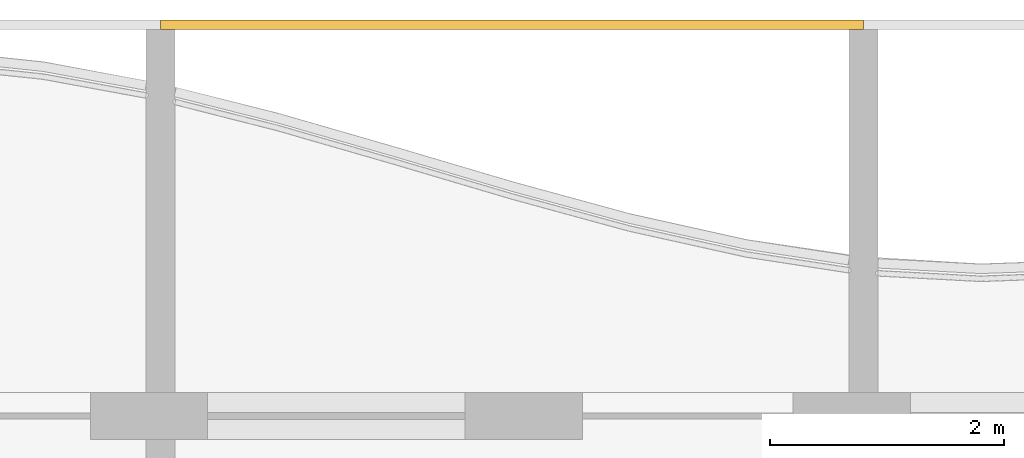
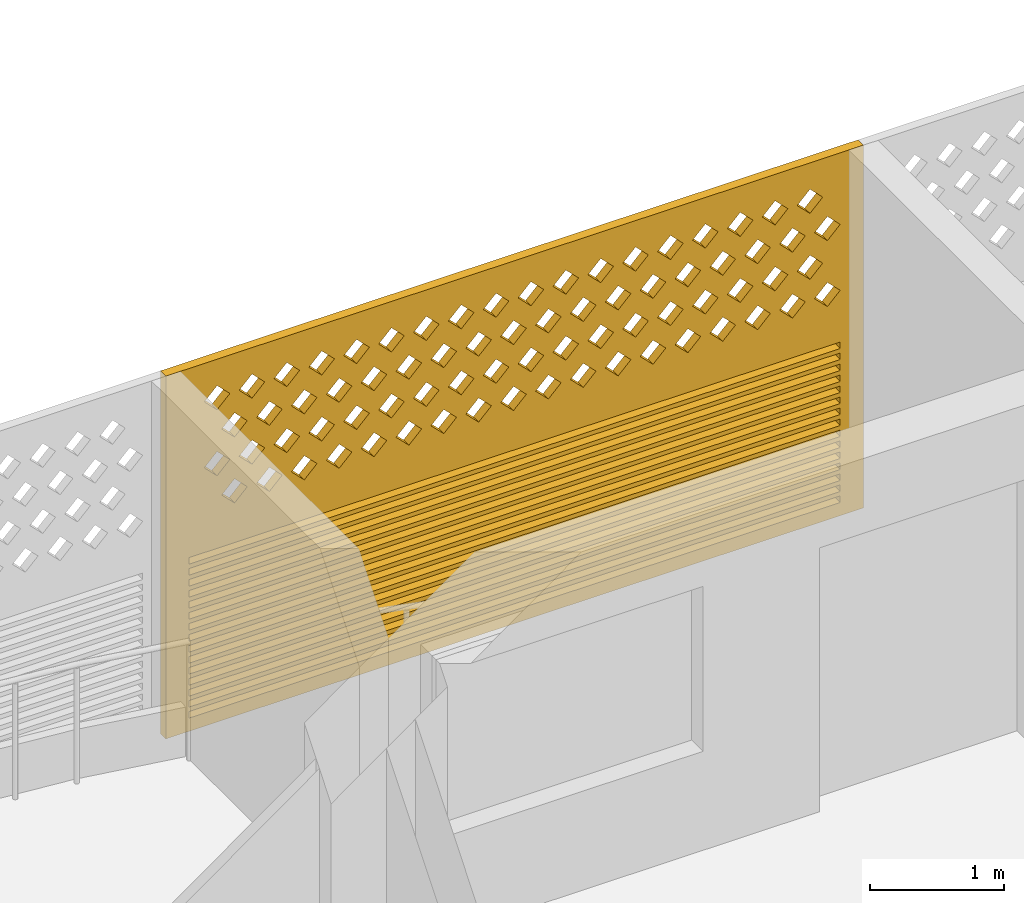
# One storey, part 24 of 26: 1 covering.
"""IFC4 building model written with IfcOpenShell, lengths in metres."""

from ifc_helpers import new_model, si_unit, direction, frame, origin, place, context, subcontext, project, spatial, polyline, outline, extrude, source, transform, mapped, material, material_profile, profile_set, type_object, element, save


model = new_model("IFC4")

# Units and contexts
model_context = context("Model", 3, precision=1e-05, world=origin(), true_north=direction((0.0, 1.0)))
body_context = subcontext(model_context, "Body", "Model", "MODEL_VIEW")
ifc_project = project(units=[si_unit("LENGTHUNIT", "METRE"), si_unit("AREAUNIT", "SQUARE_METRE"), si_unit("VOLUMEUNIT", "CUBIC_METRE"), si_unit("PLANEANGLEUNIT", "RADIAN"), si_unit("MASSUNIT", "GRAM", prefix="KILO")], contexts=[model_context])

# Site, building, storey
site_placement = place(None, origin())
site = spatial("IfcSite", under=ifc_project, at=site_placement, CompositionType="ELEMENT")
building_placement = place(site_placement, origin())
building = spatial("IfcBuilding", under=site, at=building_placement, Name="Poui Terraces", CompositionType="ELEMENT")
storey_placement = place(building_placement, frame((0.0, 0.0, 221.39990234375)))
storey = spatial("IfcBuildingStorey", under=building, at=storey_placement, Name="L61", CompositionType="ELEMENT", Elevation=221.39990234375)

# Covering
ifc_material = material(Name="Terracotta screen", Category="masonry")
ifc_material_profile = material_profile(ifc_material, outline(polyline([(-3.0, -1.64990234375), (3.0, -1.64990234375), (3.0, 1.64990234375), (-3.0, 1.64990234375), (-3.0, -1.64990234375)]), holes=[polyline([(-2.800048828125, 0.39990234375), (-2.68994140625, 0.2900390625), (-2.580078125, 0.39990234375), (-2.68994140625, 0.510009765625), (-2.800048828125, 0.39990234375)]), polyline([(-2.5, 0.39990234375), (-2.389892578125, 0.2900390625), (-2.280029296875, 0.39990234375), (-2.389892578125, 0.510009765625), (-2.5, 0.39990234375)]), polyline([(-2.199951171875, 0.39990234375), (-2.090087890625, 0.2900390625), (-1.97998046875, 0.39990234375), (-2.090087890625, 0.510009765625), (-2.199951171875, 0.39990234375)]), polyline([(-1.89990234375, 0.39990234375), (-1.7900390625, 0.2900390625), (-1.679931640625, 0.39990234375), (-1.7900390625, 0.510009765625), (-1.89990234375, 0.39990234375)]), polyline([(-1.60009765625, 0.39990234375), (-1.489990234375, 0.2900390625), (-1.3798828125, 0.39990234375), (-1.489990234375, 0.510009765625), (-1.60009765625, 0.39990234375)]), polyline([(-1.300048828125, 0.39990234375), (-1.18994140625, 0.2900390625), (-1.080078125, 0.39990234375), (-1.18994140625, 0.510009765625), (-1.300048828125, 0.39990234375)]), polyline([(-1.0, 0.39990234375), (-0.889892578125, 0.2900390625), (-0.780029296875, 0.39990234375), (-0.889892578125, 0.510009765625), (-1.0, 0.39990234375)]), polyline([(-0.699951171875, 0.39990234375), (-0.590087890625, 0.2900390625), (-0.47998046875, 0.39990234375), (-0.590087890625, 0.510009765625), (-0.699951171875, 0.39990234375)]), polyline([(-0.39990234375, 0.39990234375), (-0.2900390625, 0.2900390625), (-0.179931640625, 0.39990234375), (-0.2900390625, 0.510009765625), (-0.39990234375, 0.39990234375)]), polyline([(-0.10009765625, 0.39990234375), (0.010009765625, 0.2900390625), (0.1201171875, 0.39990234375), (0.010009765625, 0.510009765625), (-0.10009765625, 0.39990234375)]), polyline([(0.199951171875, 0.39990234375), (0.31005859375, 0.2900390625), (0.419921875, 0.39990234375), (0.31005859375, 0.510009765625), (0.199951171875, 0.39990234375)]), polyline([(0.5, 0.39990234375), (0.610107421875, 0.2900390625), (0.719970703125, 0.39990234375), (0.610107421875, 0.510009765625), (0.5, 0.39990234375)]), polyline([(0.800048828125, 0.39990234375), (0.909912109375, 0.2900390625), (1.02001953125, 0.39990234375), (0.909912109375, 0.510009765625), (0.800048828125, 0.39990234375)]), polyline([(1.10009765625, 0.39990234375), (1.2099609375, 0.2900390625), (1.320068359375, 0.39990234375), (1.2099609375, 0.510009765625), (1.10009765625, 0.39990234375)]), polyline([(1.39990234375, 0.39990234375), (1.510009765625, 0.2900390625), (1.6201171875, 0.39990234375), (1.510009765625, 0.510009765625), (1.39990234375, 0.39990234375)]), polyline([(1.699951171875, 0.39990234375), (1.81005859375, 0.2900390625), (1.919921875, 0.39990234375), (1.81005859375, 0.510009765625), (1.699951171875, 0.39990234375)]), polyline([(2.0, 0.39990234375), (2.110107421875, 0.2900390625), (2.219970703125, 0.39990234375), (2.110107421875, 0.510009765625), (2.0, 0.39990234375)]), polyline([(2.300048828125, 0.39990234375), (2.409912109375, 0.2900390625), (2.52001953125, 0.39990234375), (2.409912109375, 0.510009765625), (2.300048828125, 0.39990234375)]), polyline([(-2.64990234375, 0.699951171875), (-2.5400390625, 0.590087890625), (-2.429931640625, 0.699951171875), (-2.5400390625, 0.81005859375), (-2.64990234375, 0.699951171875)]), polyline([(-2.35009765625, 0.699951171875), (-2.239990234375, 0.590087890625), (-2.1298828125, 0.699951171875), (-2.239990234375, 0.81005859375), (-2.35009765625, 0.699951171875)]), polyline([(-2.050048828125, 0.699951171875), (-1.93994140625, 0.590087890625), (-1.830078125, 0.699951171875), (-1.93994140625, 0.81005859375), (-2.050048828125, 0.699951171875)]), polyline([(-1.75, 0.699951171875), (-1.639892578125, 0.590087890625), (-1.530029296875, 0.699951171875), (-1.639892578125, 0.81005859375), (-1.75, 0.699951171875)]), polyline([(-1.449951171875, 0.699951171875), (-1.340087890625, 0.590087890625), (-1.22998046875, 0.699951171875), (-1.340087890625, 0.81005859375), (-1.449951171875, 0.699951171875)]), polyline([(-1.14990234375, 0.699951171875), (-1.0400390625, 0.590087890625), (-0.929931640625, 0.699951171875), (-1.0400390625, 0.81005859375), (-1.14990234375, 0.699951171875)]), polyline([(-0.85009765625, 0.699951171875), (-0.739990234375, 0.590087890625), (-0.6298828125, 0.699951171875), (-0.739990234375, 0.81005859375), (-0.85009765625, 0.699951171875)]), polyline([(-0.550048828125, 0.699951171875), (-0.43994140625, 0.590087890625), (-0.330078125, 0.699951171875), (-0.43994140625, 0.81005859375), (-0.550048828125, 0.699951171875)]), polyline([(-0.25, 0.699951171875), (-0.139892578125, 0.590087890625), (-0.030029296875, 0.699951171875), (-0.139892578125, 0.81005859375), (-0.25, 0.699951171875)]), polyline([(0.050048828125, 0.699951171875), (0.159912109375, 0.590087890625), (0.27001953125, 0.699951171875), (0.159912109375, 0.81005859375), (0.050048828125, 0.699951171875)]), polyline([(0.35009765625, 0.699951171875), (0.4599609375, 0.590087890625), (0.570068359375, 0.699951171875), (0.4599609375, 0.81005859375), (0.35009765625, 0.699951171875)]), polyline([(0.64990234375, 0.699951171875), (0.760009765625, 0.590087890625), (0.8701171875, 0.699951171875), (0.760009765625, 0.81005859375), (0.64990234375, 0.699951171875)]), polyline([(0.949951171875, 0.699951171875), (1.06005859375, 0.590087890625), (1.169921875, 0.699951171875), (1.06005859375, 0.81005859375), (0.949951171875, 0.699951171875)]), polyline([(1.25, 0.699951171875), (1.360107421875, 0.590087890625), (1.469970703125, 0.699951171875), (1.360107421875, 0.81005859375), (1.25, 0.699951171875)]), polyline([(1.550048828125, 0.699951171875), (1.659912109375, 0.590087890625), (1.77001953125, 0.699951171875), (1.659912109375, 0.81005859375), (1.550048828125, 0.699951171875)]), polyline([(1.85009765625, 0.699951171875), (1.9599609375, 0.590087890625), (2.070068359375, 0.699951171875), (1.9599609375, 0.81005859375), (1.85009765625, 0.699951171875)]), polyline([(2.14990234375, 0.699951171875), (2.260009765625, 0.590087890625), (2.3701171875, 0.699951171875), (2.260009765625, 0.81005859375), (2.14990234375, 0.699951171875)]), polyline([(2.449951171875, 0.699951171875), (2.56005859375, 0.590087890625), (2.669921875, 0.699951171875), (2.56005859375, 0.81005859375), (2.449951171875, 0.699951171875)]), polyline([(-2.800048828125, 1.0), (-2.68994140625, 0.889892578125), (-2.580078125, 1.0), (-2.68994140625, 1.110107421875), (-2.800048828125, 1.0)]), polyline([(-2.5, 1.0), (-2.389892578125, 0.889892578125), (-2.280029296875, 1.0), (-2.389892578125, 1.110107421875), (-2.5, 1.0)]), polyline([(-2.199951171875, 1.0), (-2.090087890625, 0.889892578125), (-1.97998046875, 1.0), (-2.090087890625, 1.110107421875), (-2.199951171875, 1.0)]), polyline([(-1.89990234375, 1.0), (-1.7900390625, 0.889892578125), (-1.679931640625, 1.0), (-1.7900390625, 1.110107421875), (-1.89990234375, 1.0)]), polyline([(-1.60009765625, 1.0), (-1.489990234375, 0.889892578125), (-1.3798828125, 1.0), (-1.489990234375, 1.110107421875), (-1.60009765625, 1.0)]), polyline([(-1.300048828125, 1.0), (-1.18994140625, 0.889892578125), (-1.080078125, 1.0), (-1.18994140625, 1.110107421875), (-1.300048828125, 1.0)]), polyline([(-1.0, 1.0), (-0.889892578125, 0.889892578125), (-0.780029296875, 1.0), (-0.889892578125, 1.110107421875), (-1.0, 1.0)]), polyline([(-0.699951171875, 1.0), (-0.590087890625, 0.889892578125), (-0.47998046875, 1.0), (-0.590087890625, 1.110107421875), (-0.699951171875, 1.0)]), polyline([(-0.39990234375, 1.0), (-0.2900390625, 0.889892578125), (-0.179931640625, 1.0), (-0.2900390625, 1.110107421875), (-0.39990234375, 1.0)]), polyline([(-0.10009765625, 1.0), (0.010009765625, 0.889892578125), (0.1201171875, 1.0), (0.010009765625, 1.110107421875), (-0.10009765625, 1.0)]), polyline([(0.199951171875, 1.0), (0.31005859375, 0.889892578125), (0.419921875, 1.0), (0.31005859375, 1.110107421875), (0.199951171875, 1.0)]), polyline([(0.5, 1.0), (0.610107421875, 0.889892578125), (0.719970703125, 1.0), (0.610107421875, 1.110107421875), (0.5, 1.0)]), polyline([(0.800048828125, 1.0), (0.909912109375, 0.889892578125), (1.02001953125, 1.0), (0.909912109375, 1.110107421875), (0.800048828125, 1.0)]), polyline([(1.10009765625, 1.0), (1.2099609375, 0.889892578125), (1.320068359375, 1.0), (1.2099609375, 1.110107421875), (1.10009765625, 1.0)]), polyline([(1.39990234375, 1.0), (1.510009765625, 0.889892578125), (1.6201171875, 1.0), (1.510009765625, 1.110107421875), (1.39990234375, 1.0)]), polyline([(1.699951171875, 1.0), (1.81005859375, 0.889892578125), (1.919921875, 1.0), (1.81005859375, 1.110107421875), (1.699951171875, 1.0)]), polyline([(2.0, 1.0), (2.110107421875, 0.889892578125), (2.219970703125, 1.0), (2.110107421875, 1.110107421875), (2.0, 1.0)]), polyline([(2.300048828125, 1.0), (2.409912109375, 0.889892578125), (2.52001953125, 1.0), (2.409912109375, 1.110107421875), (2.300048828125, 1.0)]), polyline([(-2.64990234375, 1.300048828125), (-2.5400390625, 1.18994140625), (-2.429931640625, 1.300048828125), (-2.5400390625, 1.409912109375), (-2.64990234375, 1.300048828125)]), polyline([(-2.35009765625, 1.300048828125), (-2.239990234375, 1.18994140625), (-2.1298828125, 1.300048828125), (-2.239990234375, 1.409912109375), (-2.35009765625, 1.300048828125)]), polyline([(-2.050048828125, 1.300048828125), (-1.93994140625, 1.18994140625), (-1.830078125, 1.300048828125), (-1.93994140625, 1.409912109375), (-2.050048828125, 1.300048828125)]), polyline([(-1.75, 1.300048828125), (-1.639892578125, 1.18994140625), (-1.530029296875, 1.300048828125), (-1.639892578125, 1.409912109375), (-1.75, 1.300048828125)]), polyline([(-1.449951171875, 1.300048828125), (-1.340087890625, 1.18994140625), (-1.22998046875, 1.300048828125), (-1.340087890625, 1.409912109375), (-1.449951171875, 1.300048828125)]), polyline([(-1.14990234375, 1.300048828125), (-1.0400390625, 1.18994140625), (-0.929931640625, 1.300048828125), (-1.0400390625, 1.409912109375), (-1.14990234375, 1.300048828125)]), polyline([(-0.85009765625, 1.300048828125), (-0.739990234375, 1.18994140625), (-0.6298828125, 1.300048828125), (-0.739990234375, 1.409912109375), (-0.85009765625, 1.300048828125)]), polyline([(-0.550048828125, 1.300048828125), (-0.43994140625, 1.18994140625), (-0.330078125, 1.300048828125), (-0.43994140625, 1.409912109375), (-0.550048828125, 1.300048828125)]), polyline([(-0.25, 1.300048828125), (-0.139892578125, 1.18994140625), (-0.030029296875, 1.300048828125), (-0.139892578125, 1.409912109375), (-0.25, 1.300048828125)]), polyline([(0.050048828125, 1.300048828125), (0.159912109375, 1.18994140625), (0.27001953125, 1.300048828125), (0.159912109375, 1.409912109375), (0.050048828125, 1.300048828125)]), polyline([(0.35009765625, 1.300048828125), (0.4599609375, 1.18994140625), (0.570068359375, 1.300048828125), (0.4599609375, 1.409912109375), (0.35009765625, 1.300048828125)]), polyline([(0.64990234375, 1.300048828125), (0.760009765625, 1.18994140625), (0.8701171875, 1.300048828125), (0.760009765625, 1.409912109375), (0.64990234375, 1.300048828125)]), polyline([(0.949951171875, 1.300048828125), (1.06005859375, 1.18994140625), (1.169921875, 1.300048828125), (1.06005859375, 1.409912109375), (0.949951171875, 1.300048828125)]), polyline([(1.25, 1.300048828125), (1.360107421875, 1.18994140625), (1.469970703125, 1.300048828125), (1.360107421875, 1.409912109375), (1.25, 1.300048828125)]), polyline([(1.550048828125, 1.300048828125), (1.659912109375, 1.18994140625), (1.77001953125, 1.300048828125), (1.659912109375, 1.409912109375), (1.550048828125, 1.300048828125)]), polyline([(1.85009765625, 1.300048828125), (1.9599609375, 1.18994140625), (2.070068359375, 1.300048828125), (1.9599609375, 1.409912109375), (1.85009765625, 1.300048828125)]), polyline([(2.14990234375, 1.300048828125), (2.260009765625, 1.18994140625), (2.3701171875, 1.300048828125), (2.260009765625, 1.409912109375), (2.14990234375, 1.300048828125)]), polyline([(2.449951171875, 1.300048828125), (2.56005859375, 1.18994140625), (2.669921875, 1.300048828125), (2.56005859375, 1.409912109375), (2.449951171875, 1.300048828125)]), polyline([(-2.800048828125, -1.530029296875), (2.800048828125, -1.530029296875), (2.800048828125, -1.469970703125), (-2.800048828125, -1.469970703125), (-2.800048828125, -1.530029296875)]), polyline([(-2.800048828125, -1.429931640625), (2.800048828125, -1.429931640625), (2.800048828125, -1.3701171875), (-2.800048828125, -1.3701171875), (-2.800048828125, -1.429931640625)]), polyline([(-2.800048828125, -1.330078125), (2.800048828125, -1.330078125), (2.800048828125, -1.27001953125), (-2.800048828125, -1.27001953125), (-2.800048828125, -1.330078125)]), polyline([(-2.800048828125, -1.22998046875), (2.800048828125, -1.22998046875), (2.800048828125, -1.169921875), (-2.800048828125, -1.169921875), (-2.800048828125, -1.22998046875)]), polyline([(-2.800048828125, -1.1298828125), (2.800048828125, -1.1298828125), (2.800048828125, -1.070068359375), (-2.800048828125, -1.070068359375), (-2.800048828125, -1.1298828125)]), polyline([(-2.800048828125, -1.030029296875), (2.800048828125, -1.030029296875), (2.800048828125, -0.969970703125), (-2.800048828125, -0.969970703125), (-2.800048828125, -1.030029296875)]), polyline([(-2.800048828125, -0.929931640625), (2.800048828125, -0.929931640625), (2.800048828125, -0.8701171875), (-2.800048828125, -0.8701171875), (-2.800048828125, -0.929931640625)]), polyline([(-2.800048828125, -0.830078125), (2.800048828125, -0.830078125), (2.800048828125, -0.77001953125), (-2.800048828125, -0.77001953125), (-2.800048828125, -0.830078125)]), polyline([(-2.800048828125, -0.72998046875), (2.800048828125, -0.72998046875), (2.800048828125, -0.669921875), (-2.800048828125, -0.669921875), (-2.800048828125, -0.72998046875)]), polyline([(-2.800048828125, -0.6298828125), (2.800048828125, -0.6298828125), (2.800048828125, -0.570068359375), (-2.800048828125, -0.570068359375), (-2.800048828125, -0.6298828125)]), polyline([(-2.800048828125, -0.530029296875), (2.800048828125, -0.530029296875), (2.800048828125, -0.469970703125), (-2.800048828125, -0.469970703125), (-2.800048828125, -0.530029296875)]), polyline([(-2.800048828125, -0.429931640625), (2.800048828125, -0.429931640625), (2.800048828125, -0.3701171875), (-2.800048828125, -0.3701171875), (-2.800048828125, -0.429931640625)]), polyline([(-2.800048828125, -0.330078125), (2.800048828125, -0.330078125), (2.800048828125, -0.27001953125), (-2.800048828125, -0.27001953125), (-2.800048828125, -0.330078125)]), polyline([(-2.800048828125, -0.22998046875), (2.800048828125, -0.22998046875), (2.800048828125, -0.169921875), (-2.800048828125, -0.169921875), (-2.800048828125, -0.22998046875)]), polyline([(-2.800048828125, -0.1298828125), (2.800048828125, -0.1298828125), (2.800048828125, -0.070068359375), (-2.800048828125, -0.070068359375), (-2.800048828125, -0.1298828125)])]), Name="TERRACOTTA SCREEN AND JALOUSIE LOUVRE 6000X3300")
ifc_profile_set = profile_set([ifc_material_profile], Name="Terracotta screen")
covering_type = type_object("IfcCoveringType", Name="TERRACOTTA SCREEN AND JALOUSIE LOUVRE 6000X3300", PredefinedType="CLADDING", material=ifc_profile_set)
shared_shape = source(origin(), body_context, "Body", "SweptSolid", [
    extrude(outline(polyline([(-3.0, -1.64990234375), (3.0, -1.64990234375), (3.0, 1.64990234375), (-3.0, 1.64990234375), (-3.0, -1.64990234375)]), holes=[polyline([(-2.800048828125, 0.39990234375), (-2.68994140625, 0.2900390625), (-2.580078125, 0.39990234375), (-2.68994140625, 0.510009765625), (-2.800048828125, 0.39990234375)]), polyline([(-2.5, 0.39990234375), (-2.389892578125, 0.2900390625), (-2.280029296875, 0.39990234375), (-2.389892578125, 0.510009765625), (-2.5, 0.39990234375)]), polyline([(-2.199951171875, 0.39990234375), (-2.090087890625, 0.2900390625), (-1.97998046875, 0.39990234375), (-2.090087890625, 0.510009765625), (-2.199951171875, 0.39990234375)]), polyline([(-1.89990234375, 0.39990234375), (-1.7900390625, 0.2900390625), (-1.679931640625, 0.39990234375), (-1.7900390625, 0.510009765625), (-1.89990234375, 0.39990234375)]), polyline([(-1.60009765625, 0.39990234375), (-1.489990234375, 0.2900390625), (-1.3798828125, 0.39990234375), (-1.489990234375, 0.510009765625), (-1.60009765625, 0.39990234375)]), polyline([(-1.300048828125, 0.39990234375), (-1.18994140625, 0.2900390625), (-1.080078125, 0.39990234375), (-1.18994140625, 0.510009765625), (-1.300048828125, 0.39990234375)]), polyline([(-1.0, 0.39990234375), (-0.889892578125, 0.2900390625), (-0.780029296875, 0.39990234375), (-0.889892578125, 0.510009765625), (-1.0, 0.39990234375)]), polyline([(-0.699951171875, 0.39990234375), (-0.590087890625, 0.2900390625), (-0.47998046875, 0.39990234375), (-0.590087890625, 0.510009765625), (-0.699951171875, 0.39990234375)]), polyline([(-0.39990234375, 0.39990234375), (-0.2900390625, 0.2900390625), (-0.179931640625, 0.39990234375), (-0.2900390625, 0.510009765625), (-0.39990234375, 0.39990234375)]), polyline([(-0.10009765625, 0.39990234375), (0.010009765625, 0.2900390625), (0.1201171875, 0.39990234375), (0.010009765625, 0.510009765625), (-0.10009765625, 0.39990234375)]), polyline([(0.199951171875, 0.39990234375), (0.31005859375, 0.2900390625), (0.419921875, 0.39990234375), (0.31005859375, 0.510009765625), (0.199951171875, 0.39990234375)]), polyline([(0.5, 0.39990234375), (0.610107421875, 0.2900390625), (0.719970703125, 0.39990234375), (0.610107421875, 0.510009765625), (0.5, 0.39990234375)]), polyline([(0.800048828125, 0.39990234375), (0.909912109375, 0.2900390625), (1.02001953125, 0.39990234375), (0.909912109375, 0.510009765625), (0.800048828125, 0.39990234375)]), polyline([(1.10009765625, 0.39990234375), (1.2099609375, 0.2900390625), (1.320068359375, 0.39990234375), (1.2099609375, 0.510009765625), (1.10009765625, 0.39990234375)]), polyline([(1.39990234375, 0.39990234375), (1.510009765625, 0.2900390625), (1.6201171875, 0.39990234375), (1.510009765625, 0.510009765625), (1.39990234375, 0.39990234375)]), polyline([(1.699951171875, 0.39990234375), (1.81005859375, 0.2900390625), (1.919921875, 0.39990234375), (1.81005859375, 0.510009765625), (1.699951171875, 0.39990234375)]), polyline([(2.0, 0.39990234375), (2.110107421875, 0.2900390625), (2.219970703125, 0.39990234375), (2.110107421875, 0.510009765625), (2.0, 0.39990234375)]), polyline([(2.300048828125, 0.39990234375), (2.409912109375, 0.2900390625), (2.52001953125, 0.39990234375), (2.409912109375, 0.510009765625), (2.300048828125, 0.39990234375)]), polyline([(-2.64990234375, 0.699951171875), (-2.5400390625, 0.590087890625), (-2.429931640625, 0.699951171875), (-2.5400390625, 0.81005859375), (-2.64990234375, 0.699951171875)]), polyline([(-2.35009765625, 0.699951171875), (-2.239990234375, 0.590087890625), (-2.1298828125, 0.699951171875), (-2.239990234375, 0.81005859375), (-2.35009765625, 0.699951171875)]), polyline([(-2.050048828125, 0.699951171875), (-1.93994140625, 0.590087890625), (-1.830078125, 0.699951171875), (-1.93994140625, 0.81005859375), (-2.050048828125, 0.699951171875)]), polyline([(-1.75, 0.699951171875), (-1.639892578125, 0.590087890625), (-1.530029296875, 0.699951171875), (-1.639892578125, 0.81005859375), (-1.75, 0.699951171875)]), polyline([(-1.449951171875, 0.699951171875), (-1.340087890625, 0.590087890625), (-1.22998046875, 0.699951171875), (-1.340087890625, 0.81005859375), (-1.449951171875, 0.699951171875)]), polyline([(-1.14990234375, 0.699951171875), (-1.0400390625, 0.590087890625), (-0.929931640625, 0.699951171875), (-1.0400390625, 0.81005859375), (-1.14990234375, 0.699951171875)]), polyline([(-0.85009765625, 0.699951171875), (-0.739990234375, 0.590087890625), (-0.6298828125, 0.699951171875), (-0.739990234375, 0.81005859375), (-0.85009765625, 0.699951171875)]), polyline([(-0.550048828125, 0.699951171875), (-0.43994140625, 0.590087890625), (-0.330078125, 0.699951171875), (-0.43994140625, 0.81005859375), (-0.550048828125, 0.699951171875)]), polyline([(-0.25, 0.699951171875), (-0.139892578125, 0.590087890625), (-0.030029296875, 0.699951171875), (-0.139892578125, 0.81005859375), (-0.25, 0.699951171875)]), polyline([(0.050048828125, 0.699951171875), (0.159912109375, 0.590087890625), (0.27001953125, 0.699951171875), (0.159912109375, 0.81005859375), (0.050048828125, 0.699951171875)]), polyline([(0.35009765625, 0.699951171875), (0.4599609375, 0.590087890625), (0.570068359375, 0.699951171875), (0.4599609375, 0.81005859375), (0.35009765625, 0.699951171875)]), polyline([(0.64990234375, 0.699951171875), (0.760009765625, 0.590087890625), (0.8701171875, 0.699951171875), (0.760009765625, 0.81005859375), (0.64990234375, 0.699951171875)]), polyline([(0.949951171875, 0.699951171875), (1.06005859375, 0.590087890625), (1.169921875, 0.699951171875), (1.06005859375, 0.81005859375), (0.949951171875, 0.699951171875)]), polyline([(1.25, 0.699951171875), (1.360107421875, 0.590087890625), (1.469970703125, 0.699951171875), (1.360107421875, 0.81005859375), (1.25, 0.699951171875)]), polyline([(1.550048828125, 0.699951171875), (1.659912109375, 0.590087890625), (1.77001953125, 0.699951171875), (1.659912109375, 0.81005859375), (1.550048828125, 0.699951171875)]), polyline([(1.85009765625, 0.699951171875), (1.9599609375, 0.590087890625), (2.070068359375, 0.699951171875), (1.9599609375, 0.81005859375), (1.85009765625, 0.699951171875)]), polyline([(2.14990234375, 0.699951171875), (2.260009765625, 0.590087890625), (2.3701171875, 0.699951171875), (2.260009765625, 0.81005859375), (2.14990234375, 0.699951171875)]), polyline([(2.449951171875, 0.699951171875), (2.56005859375, 0.590087890625), (2.669921875, 0.699951171875), (2.56005859375, 0.81005859375), (2.449951171875, 0.699951171875)]), polyline([(-2.800048828125, 1.0), (-2.68994140625, 0.889892578125), (-2.580078125, 1.0), (-2.68994140625, 1.110107421875), (-2.800048828125, 1.0)]), polyline([(-2.5, 1.0), (-2.389892578125, 0.889892578125), (-2.280029296875, 1.0), (-2.389892578125, 1.110107421875), (-2.5, 1.0)]), polyline([(-2.199951171875, 1.0), (-2.090087890625, 0.889892578125), (-1.97998046875, 1.0), (-2.090087890625, 1.110107421875), (-2.199951171875, 1.0)]), polyline([(-1.89990234375, 1.0), (-1.7900390625, 0.889892578125), (-1.679931640625, 1.0), (-1.7900390625, 1.110107421875), (-1.89990234375, 1.0)]), polyline([(-1.60009765625, 1.0), (-1.489990234375, 0.889892578125), (-1.3798828125, 1.0), (-1.489990234375, 1.110107421875), (-1.60009765625, 1.0)]), polyline([(-1.300048828125, 1.0), (-1.18994140625, 0.889892578125), (-1.080078125, 1.0), (-1.18994140625, 1.110107421875), (-1.300048828125, 1.0)]), polyline([(-1.0, 1.0), (-0.889892578125, 0.889892578125), (-0.780029296875, 1.0), (-0.889892578125, 1.110107421875), (-1.0, 1.0)]), polyline([(-0.699951171875, 1.0), (-0.590087890625, 0.889892578125), (-0.47998046875, 1.0), (-0.590087890625, 1.110107421875), (-0.699951171875, 1.0)]), polyline([(-0.39990234375, 1.0), (-0.2900390625, 0.889892578125), (-0.179931640625, 1.0), (-0.2900390625, 1.110107421875), (-0.39990234375, 1.0)]), polyline([(-0.10009765625, 1.0), (0.010009765625, 0.889892578125), (0.1201171875, 1.0), (0.010009765625, 1.110107421875), (-0.10009765625, 1.0)]), polyline([(0.199951171875, 1.0), (0.31005859375, 0.889892578125), (0.419921875, 1.0), (0.31005859375, 1.110107421875), (0.199951171875, 1.0)]), polyline([(0.5, 1.0), (0.610107421875, 0.889892578125), (0.719970703125, 1.0), (0.610107421875, 1.110107421875), (0.5, 1.0)]), polyline([(0.800048828125, 1.0), (0.909912109375, 0.889892578125), (1.02001953125, 1.0), (0.909912109375, 1.110107421875), (0.800048828125, 1.0)]), polyline([(1.10009765625, 1.0), (1.2099609375, 0.889892578125), (1.320068359375, 1.0), (1.2099609375, 1.110107421875), (1.10009765625, 1.0)]), polyline([(1.39990234375, 1.0), (1.510009765625, 0.889892578125), (1.6201171875, 1.0), (1.510009765625, 1.110107421875), (1.39990234375, 1.0)]), polyline([(1.699951171875, 1.0), (1.81005859375, 0.889892578125), (1.919921875, 1.0), (1.81005859375, 1.110107421875), (1.699951171875, 1.0)]), polyline([(2.0, 1.0), (2.110107421875, 0.889892578125), (2.219970703125, 1.0), (2.110107421875, 1.110107421875), (2.0, 1.0)]), polyline([(2.300048828125, 1.0), (2.409912109375, 0.889892578125), (2.52001953125, 1.0), (2.409912109375, 1.110107421875), (2.300048828125, 1.0)]), polyline([(-2.64990234375, 1.300048828125), (-2.5400390625, 1.18994140625), (-2.429931640625, 1.300048828125), (-2.5400390625, 1.409912109375), (-2.64990234375, 1.300048828125)]), polyline([(-2.35009765625, 1.300048828125), (-2.239990234375, 1.18994140625), (-2.1298828125, 1.300048828125), (-2.239990234375, 1.409912109375), (-2.35009765625, 1.300048828125)]), polyline([(-2.050048828125, 1.300048828125), (-1.93994140625, 1.18994140625), (-1.830078125, 1.300048828125), (-1.93994140625, 1.409912109375), (-2.050048828125, 1.300048828125)]), polyline([(-1.75, 1.300048828125), (-1.639892578125, 1.18994140625), (-1.530029296875, 1.300048828125), (-1.639892578125, 1.409912109375), (-1.75, 1.300048828125)]), polyline([(-1.449951171875, 1.300048828125), (-1.340087890625, 1.18994140625), (-1.22998046875, 1.300048828125), (-1.340087890625, 1.409912109375), (-1.449951171875, 1.300048828125)]), polyline([(-1.14990234375, 1.300048828125), (-1.0400390625, 1.18994140625), (-0.929931640625, 1.300048828125), (-1.0400390625, 1.409912109375), (-1.14990234375, 1.300048828125)]), polyline([(-0.85009765625, 1.300048828125), (-0.739990234375, 1.18994140625), (-0.6298828125, 1.300048828125), (-0.739990234375, 1.409912109375), (-0.85009765625, 1.300048828125)]), polyline([(-0.550048828125, 1.300048828125), (-0.43994140625, 1.18994140625), (-0.330078125, 1.300048828125), (-0.43994140625, 1.409912109375), (-0.550048828125, 1.300048828125)]), polyline([(-0.25, 1.300048828125), (-0.139892578125, 1.18994140625), (-0.030029296875, 1.300048828125), (-0.139892578125, 1.409912109375), (-0.25, 1.300048828125)]), polyline([(0.050048828125, 1.300048828125), (0.159912109375, 1.18994140625), (0.27001953125, 1.300048828125), (0.159912109375, 1.409912109375), (0.050048828125, 1.300048828125)]), polyline([(0.35009765625, 1.300048828125), (0.4599609375, 1.18994140625), (0.570068359375, 1.300048828125), (0.4599609375, 1.409912109375), (0.35009765625, 1.300048828125)]), polyline([(0.64990234375, 1.300048828125), (0.760009765625, 1.18994140625), (0.8701171875, 1.300048828125), (0.760009765625, 1.409912109375), (0.64990234375, 1.300048828125)]), polyline([(0.949951171875, 1.300048828125), (1.06005859375, 1.18994140625), (1.169921875, 1.300048828125), (1.06005859375, 1.409912109375), (0.949951171875, 1.300048828125)]), polyline([(1.25, 1.300048828125), (1.360107421875, 1.18994140625), (1.469970703125, 1.300048828125), (1.360107421875, 1.409912109375), (1.25, 1.300048828125)]), polyline([(1.550048828125, 1.300048828125), (1.659912109375, 1.18994140625), (1.77001953125, 1.300048828125), (1.659912109375, 1.409912109375), (1.550048828125, 1.300048828125)]), polyline([(1.85009765625, 1.300048828125), (1.9599609375, 1.18994140625), (2.070068359375, 1.300048828125), (1.9599609375, 1.409912109375), (1.85009765625, 1.300048828125)]), polyline([(2.14990234375, 1.300048828125), (2.260009765625, 1.18994140625), (2.3701171875, 1.300048828125), (2.260009765625, 1.409912109375), (2.14990234375, 1.300048828125)]), polyline([(2.449951171875, 1.300048828125), (2.56005859375, 1.18994140625), (2.669921875, 1.300048828125), (2.56005859375, 1.409912109375), (2.449951171875, 1.300048828125)]), polyline([(-2.800048828125, -1.530029296875), (2.800048828125, -1.530029296875), (2.800048828125, -1.469970703125), (-2.800048828125, -1.469970703125), (-2.800048828125, -1.530029296875)]), polyline([(-2.800048828125, -1.429931640625), (2.800048828125, -1.429931640625), (2.800048828125, -1.3701171875), (-2.800048828125, -1.3701171875), (-2.800048828125, -1.429931640625)]), polyline([(-2.800048828125, -1.330078125), (2.800048828125, -1.330078125), (2.800048828125, -1.27001953125), (-2.800048828125, -1.27001953125), (-2.800048828125, -1.330078125)]), polyline([(-2.800048828125, -1.22998046875), (2.800048828125, -1.22998046875), (2.800048828125, -1.169921875), (-2.800048828125, -1.169921875), (-2.800048828125, -1.22998046875)]), polyline([(-2.800048828125, -1.1298828125), (2.800048828125, -1.1298828125), (2.800048828125, -1.070068359375), (-2.800048828125, -1.070068359375), (-2.800048828125, -1.1298828125)]), polyline([(-2.800048828125, -1.030029296875), (2.800048828125, -1.030029296875), (2.800048828125, -0.969970703125), (-2.800048828125, -0.969970703125), (-2.800048828125, -1.030029296875)]), polyline([(-2.800048828125, -0.929931640625), (2.800048828125, -0.929931640625), (2.800048828125, -0.8701171875), (-2.800048828125, -0.8701171875), (-2.800048828125, -0.929931640625)]), polyline([(-2.800048828125, -0.830078125), (2.800048828125, -0.830078125), (2.800048828125, -0.77001953125), (-2.800048828125, -0.77001953125), (-2.800048828125, -0.830078125)]), polyline([(-2.800048828125, -0.72998046875), (2.800048828125, -0.72998046875), (2.800048828125, -0.669921875), (-2.800048828125, -0.669921875), (-2.800048828125, -0.72998046875)]), polyline([(-2.800048828125, -0.6298828125), (2.800048828125, -0.6298828125), (2.800048828125, -0.570068359375), (-2.800048828125, -0.570068359375), (-2.800048828125, -0.6298828125)]), polyline([(-2.800048828125, -0.530029296875), (2.800048828125, -0.530029296875), (2.800048828125, -0.469970703125), (-2.800048828125, -0.469970703125), (-2.800048828125, -0.530029296875)]), polyline([(-2.800048828125, -0.429931640625), (2.800048828125, -0.429931640625), (2.800048828125, -0.3701171875), (-2.800048828125, -0.3701171875), (-2.800048828125, -0.429931640625)]), polyline([(-2.800048828125, -0.330078125), (2.800048828125, -0.330078125), (2.800048828125, -0.27001953125), (-2.800048828125, -0.27001953125), (-2.800048828125, -0.330078125)]), polyline([(-2.800048828125, -0.22998046875), (2.800048828125, -0.22998046875), (2.800048828125, -0.169921875), (-2.800048828125, -0.169921875), (-2.800048828125, -0.22998046875)]), polyline([(-2.800048828125, -0.1298828125), (2.800048828125, -0.1298828125), (2.800048828125, -0.070068359375), (-2.800048828125, -0.070068359375), (-2.800048828125, -0.1298828125)])]), origin(), (0.0, 0.0, 1.0), 0.080078125),
])
covering_placement = place(storey_placement, frame((69.0, 44.5, 1.4501953125), z_axis=(0.0, 1.0, 0.0), x_axis=(-1.0, 0.0, 0.0)))
element("IfcCovering", 1, at=covering_placement, inside=storey, type_object=covering_type, Name="SOLAR SCREEN AND JALOUSIE LOUVRE", PredefinedType="CLADDING", context=body_context, shape_type="MappedRepresentation", body=[
    mapped(shared_shape, transform((0.0, 0.0, 0.0))),
])

save(model, "model.ifc")
